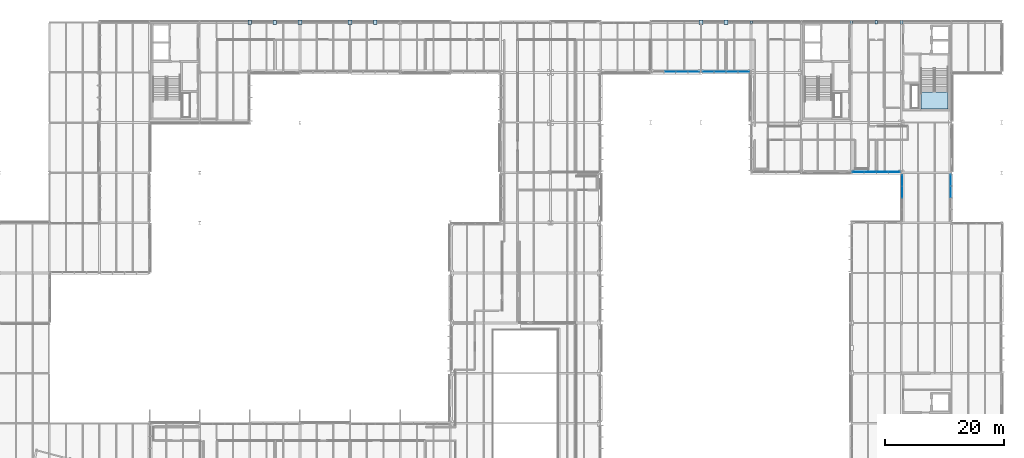
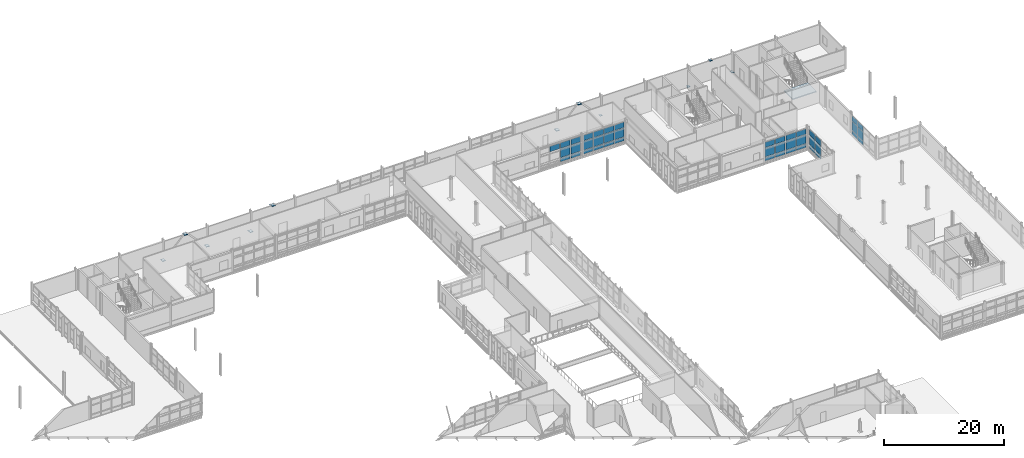
# One storey, part 92 of 129: 54 plates, 1 slab, 6 elements without a shape of their own.
"""IFC4 building model written with IfcOpenShell, lengths in metres."""

from ifc_helpers import new_model, si_unit, direction, frame, origin, origin_2d, place, context, subcontext, project, spatial, polyline, rectangle, outline, extrude, material, layer, layer_set, type_object, element, aggregate, save


model = new_model("IFC4")

# Units and contexts
model_context = context("Model", 3, precision=1e-05, world=origin(), true_north=direction((0.0, 1.0)))
body_context = subcontext(model_context, "Body", "Model", "MODEL_VIEW")
ifc_project = project(units=[si_unit("LENGTHUNIT", "METRE"), si_unit("AREAUNIT", "SQUARE_METRE"), si_unit("VOLUMEUNIT", "CUBIC_METRE"), si_unit("PLANEANGLEUNIT", "RADIAN"), si_unit("MASSUNIT", "GRAM", prefix="KILO")], contexts=[model_context])

# Site, building, storey
site_placement = place(None, origin())
site = spatial("IfcSite", under=ifc_project, at=site_placement, CompositionType="ELEMENT")
building_placement = place(site_placement, origin())
building = spatial("IfcBuilding", under=site, at=building_placement, Name="Mersafa Astral City Hall", CompositionType="ELEMENT")
storey_placement = place(building_placement, frame((0.0, 0.0, 5.39990234375)))
storey = spatial("IfcBuildingStorey", under=building, at=storey_placement, Name="L01", CompositionType="ELEMENT", Elevation=5.39990234375)

# Curtain wall, plates
ifc_material_1 = material(Name="Anodised bronze aluminium framing", Category="aluminium")
curtain_wall_type_1 = type_object("IfcCurtainWallType", Name="ENV-CW-1", PredefinedType="USERDEFINED", material=ifc_material_1)
curtain_wall_1_placement = place(storey_placement, origin())
curtain_wall_1 = element("IfcCurtainWall", 1, at=curtain_wall_1_placement, inside=storey, type_object=curtain_wall_type_1, Name="L01 Unitised solar curtain wall 60", ObjectType="UNITISED CURTAIN WALL", PredefinedType="USERDEFINED")
ifc_material_2 = material(Name="Solar control low-e double glazing", Category="glass")
ifc_layer_1 = layer(ifc_material_2, 0.028076171875, Name="Solar control low-e double glazing")
ifc_layer_set_1 = layer_set([ifc_layer_1], Name="Solar control low-e double glazing — ENV-CW-PNL-GLZ-1")
plate_type_1 = type_object("IfcPlateType", Name="ENV-CW-PNL-GLZ-1", PredefinedType="CURTAIN_PANEL", material=ifc_layer_set_1)
plate_1_placement = place(storey_placement, frame((129.1904296875, 117.719970703125, 2.780029296875), z_axis=(0.0, 0.0, 1.0), x_axis=(1.0, 0.0, 0.0)))
plate_1 = element("IfcPlate", 2, at=plate_1_placement, type_object=plate_type_1, Name="CW-1 panel 2.3", PredefinedType="CURTAIN_PANEL", context=body_context, shape_type="SweptSolid", body=[
    extrude(rectangle(XDim=1.89892578125, YDim=0.028076171875, at=origin_2d()), origin(), (0.0, 0.0, 1.0), 1.126953125),
])
plate_2_placement = place(storey_placement, frame((131.20947265625, 117.719970703125, 0.05810546875), z_axis=(0.0, 0.0, 1.0), x_axis=(1.0, 0.0, 0.0)))
plate_2 = element("IfcPlate", 3, at=plate_2_placement, type_object=plate_type_1, Name="CW-1 panel 3.1", PredefinedType="CURTAIN_PANEL", context=body_context, shape_type="SweptSolid", body=[
    extrude(rectangle(XDim=1.89892578125, YDim=0.028076171875, at=origin_2d()), origin(), (0.0, 0.0, 1.0), 0.761962890625),
])
plate_3_placement = place(storey_placement, frame((131.20947265625, 117.719970703125, 0.8798828125), z_axis=(0.0, 0.0, 1.0), x_axis=(1.0, 0.0, 0.0)))
plate_3 = element("IfcPlate", 4, at=plate_3_placement, type_object=plate_type_1, Name="CW-1 panel 3.2", PredefinedType="CURTAIN_PANEL", context=body_context, shape_type="SweptSolid", body=[
    extrude(rectangle(XDim=1.89892578125, YDim=0.028076171875, at=origin_2d()), origin(), (0.0, 0.0, 1.0), 1.840087890625),
])
plate_4_placement = place(storey_placement, frame((131.20947265625, 117.719970703125, 2.780029296875), z_axis=(0.0, 0.0, 1.0), x_axis=(1.0, 0.0, 0.0)))
plate_4 = element("IfcPlate", 5, at=plate_4_placement, type_object=plate_type_1, Name="CW-1 panel 3.3", PredefinedType="CURTAIN_PANEL", context=body_context, shape_type="SweptSolid", body=[
    extrude(rectangle(XDim=1.89892578125, YDim=0.028076171875, at=origin_2d()), origin(), (0.0, 0.0, 1.0), 1.126953125),
])
plate_5_placement = place(storey_placement, frame((133.198486328125, 117.719970703125, 0.05810546875), z_axis=(0.0, 0.0, 1.0), x_axis=(1.0, 0.0, 0.0)))
plate_5 = element("IfcPlate", 6, at=plate_5_placement, type_object=plate_type_1, Name="CW-1 panel 4.1", PredefinedType="CURTAIN_PANEL", context=body_context, shape_type="SweptSolid", body=[
    extrude(rectangle(XDim=1.839111328125, YDim=0.028076171875, at=origin_2d()), origin(), (0.0, 0.0, 1.0), 0.761962890625),
])
plate_6_placement = place(storey_placement, frame((133.198486328125, 117.719970703125, 0.8798828125), z_axis=(0.0, 0.0, 1.0), x_axis=(1.0, 0.0, 0.0)))
plate_6 = element("IfcPlate", 7, at=plate_6_placement, type_object=plate_type_1, Name="CW-1 panel 4.2", PredefinedType="CURTAIN_PANEL", context=body_context, shape_type="SweptSolid", body=[
    extrude(rectangle(XDim=1.839111328125, YDim=0.028076171875, at=origin_2d()), origin(), (0.0, 0.0, 1.0), 1.840087890625),
])
plate_7_placement = place(storey_placement, frame((133.198486328125, 117.719970703125, 2.780029296875), z_axis=(0.0, 0.0, 1.0), x_axis=(1.0, 0.0, 0.0)))
plate_7 = element("IfcPlate", 8, at=plate_7_placement, type_object=plate_type_1, Name="CW-1 panel 4.3", PredefinedType="CURTAIN_PANEL", context=body_context, shape_type="SweptSolid", body=[
    extrude(rectangle(XDim=1.839111328125, YDim=0.028076171875, at=origin_2d()), origin(), (0.0, 0.0, 1.0), 1.126953125),
])
aggregate(curtain_wall_1, [plate_1, plate_2, plate_3, plate_4, plate_5, plate_6, plate_7])

curtain_wall_type_2 = type_object("IfcCurtainWallType", Name="ENV-CW-5", PredefinedType="USERDEFINED", material=ifc_material_1)
curtain_wall_2_placement = place(storey_placement, origin())
curtain_wall_2 = element("IfcCurtainWall", 9, at=curtain_wall_2_placement, inside=storey, type_object=curtain_wall_type_2, Name="L01 Unitised solar curtain wall 64", ObjectType="UNITISED CURTAIN WALL", PredefinedType="USERDEFINED")
plate_8_placement = place(storey_placement, frame((160.801513671875, 100.919921875, 0.05810546875), z_axis=(0.0, 0.0, 1.0), x_axis=(1.0, 0.0, 0.0)))
plate_8 = element("IfcPlate", 10, at=plate_8_placement, type_object=plate_type_1, Name="CW-5 panel 1.1", PredefinedType="CURTAIN_PANEL", context=body_context, shape_type="SweptSolid", body=[
    extrude(rectangle(XDim=1.839111328125, YDim=0.028076171875, at=origin_2d()), origin(), (0.0, 0.0, 1.0), 0.761962890625),
])
plate_9_placement = place(storey_placement, frame((160.801513671875, 100.919921875, 0.8798828125), z_axis=(0.0, 0.0, 1.0), x_axis=(1.0, 0.0, 0.0)))
plate_9 = element("IfcPlate", 11, at=plate_9_placement, type_object=plate_type_1, Name="CW-5 panel 1.2", PredefinedType="CURTAIN_PANEL", context=body_context, shape_type="SweptSolid", body=[
    extrude(rectangle(XDim=1.839111328125, YDim=0.028076171875, at=origin_2d()), origin(), (0.0, 0.0, 1.0), 1.840087890625),
])
plate_10_placement = place(storey_placement, frame((160.801513671875, 100.919921875, 2.780029296875), z_axis=(0.0, 0.0, 1.0), x_axis=(1.0, 0.0, 0.0)))
plate_10 = element("IfcPlate", 12, at=plate_10_placement, type_object=plate_type_1, Name="CW-5 panel 1.3", PredefinedType="CURTAIN_PANEL", context=body_context, shape_type="SweptSolid", body=[
    extrude(rectangle(XDim=1.839111328125, YDim=0.028076171875, at=origin_2d()), origin(), (0.0, 0.0, 1.0), 1.06689453125),
])
plate_11_placement = place(storey_placement, frame((162.79052734375, 100.919921875, 0.05810546875), z_axis=(0.0, 0.0, 1.0), x_axis=(1.0, 0.0, 0.0)))
plate_11 = element("IfcPlate", 13, at=plate_11_placement, type_object=plate_type_1, Name="CW-5 panel 2.1", PredefinedType="CURTAIN_PANEL", context=body_context, shape_type="SweptSolid", body=[
    extrude(rectangle(XDim=1.89892578125, YDim=0.028076171875, at=origin_2d()), origin(), (0.0, 0.0, 1.0), 0.761962890625),
])
plate_12_placement = place(storey_placement, frame((162.79052734375, 100.919921875, 0.8798828125), z_axis=(0.0, 0.0, 1.0), x_axis=(1.0, 0.0, 0.0)))
plate_12 = element("IfcPlate", 14, at=plate_12_placement, type_object=plate_type_1, Name="CW-5 panel 2.2", PredefinedType="CURTAIN_PANEL", context=body_context, shape_type="SweptSolid", body=[
    extrude(rectangle(XDim=1.89892578125, YDim=0.028076171875, at=origin_2d()), origin(), (0.0, 0.0, 1.0), 1.840087890625),
])
plate_13_placement = place(storey_placement, frame((162.79052734375, 100.919921875, 2.780029296875), z_axis=(0.0, 0.0, 1.0), x_axis=(1.0, 0.0, 0.0)))
plate_13 = element("IfcPlate", 15, at=plate_13_placement, type_object=plate_type_1, Name="CW-5 panel 2.3", PredefinedType="CURTAIN_PANEL", context=body_context, shape_type="SweptSolid", body=[
    extrude(rectangle(XDim=1.89892578125, YDim=0.028076171875, at=origin_2d()), origin(), (0.0, 0.0, 1.0), 1.06689453125),
])
plate_14_placement = place(storey_placement, frame((164.8095703125, 100.919921875, 0.05810546875), z_axis=(0.0, 0.0, 1.0), x_axis=(1.0, 0.0, 0.0)))
plate_14 = element("IfcPlate", 16, at=plate_14_placement, type_object=plate_type_1, Name="CW-5 panel 3.1", PredefinedType="CURTAIN_PANEL", context=body_context, shape_type="SweptSolid", body=[
    extrude(rectangle(XDim=1.89892578125, YDim=0.028076171875, at=origin_2d()), origin(), (0.0, 0.0, 1.0), 0.761962890625),
])
plate_15_placement = place(storey_placement, frame((164.8095703125, 100.919921875, 0.8798828125), z_axis=(0.0, 0.0, 1.0), x_axis=(1.0, 0.0, 0.0)))
plate_15 = element("IfcPlate", 17, at=plate_15_placement, type_object=plate_type_1, Name="CW-5 panel 3.2", PredefinedType="CURTAIN_PANEL", context=body_context, shape_type="SweptSolid", body=[
    extrude(rectangle(XDim=1.89892578125, YDim=0.028076171875, at=origin_2d()), origin(), (0.0, 0.0, 1.0), 1.840087890625),
])
plate_16_placement = place(storey_placement, frame((164.8095703125, 100.919921875, 2.780029296875), z_axis=(0.0, 0.0, 1.0), x_axis=(1.0, 0.0, 0.0)))
plate_16 = element("IfcPlate", 18, at=plate_16_placement, type_object=plate_type_1, Name="CW-5 panel 3.3", PredefinedType="CURTAIN_PANEL", context=body_context, shape_type="SweptSolid", body=[
    extrude(rectangle(XDim=1.89892578125, YDim=0.028076171875, at=origin_2d()), origin(), (0.0, 0.0, 1.0), 1.06689453125),
])
plate_17_placement = place(storey_placement, frame((166.798583984375, 100.919921875, 0.05810546875), z_axis=(0.0, 0.0, 1.0), x_axis=(1.0, 0.0, 0.0)))
plate_17 = element("IfcPlate", 19, at=plate_17_placement, type_object=plate_type_1, Name="CW-5 panel 4.1", PredefinedType="CURTAIN_PANEL", context=body_context, shape_type="SweptSolid", body=[
    extrude(rectangle(XDim=1.839111328125, YDim=0.028076171875, at=origin_2d()), origin(), (0.0, 0.0, 1.0), 0.761962890625),
])
plate_18_placement = place(storey_placement, frame((166.798583984375, 100.919921875, 0.8798828125), z_axis=(0.0, 0.0, 1.0), x_axis=(1.0, 0.0, 0.0)))
plate_18 = element("IfcPlate", 20, at=plate_18_placement, type_object=plate_type_1, Name="CW-5 panel 4.2", PredefinedType="CURTAIN_PANEL", context=body_context, shape_type="SweptSolid", body=[
    extrude(rectangle(XDim=1.839111328125, YDim=0.028076171875, at=origin_2d()), origin(), (0.0, 0.0, 1.0), 1.840087890625),
])
plate_19_placement = place(storey_placement, frame((166.798583984375, 100.919921875, 2.780029296875), z_axis=(0.0, 0.0, 1.0), x_axis=(1.0, 0.0, 0.0)))
plate_19 = element("IfcPlate", 21, at=plate_19_placement, type_object=plate_type_1, Name="CW-5 panel 4.3", PredefinedType="CURTAIN_PANEL", context=body_context, shape_type="SweptSolid", body=[
    extrude(rectangle(XDim=1.839111328125, YDim=0.028076171875, at=origin_2d()), origin(), (0.0, 0.0, 1.0), 1.06689453125),
])
aggregate(curtain_wall_2, [plate_8, plate_9, plate_10, plate_11, plate_12, plate_13, plate_14, plate_15, plate_16, plate_17, plate_18, plate_19])

curtain_wall_type_3 = type_object("IfcCurtainWallType", Name="ENV-CW-2", PredefinedType="USERDEFINED", material=ifc_material_1)
curtain_wall_3_placement = place(storey_placement, origin())
curtain_wall_3 = element("IfcCurtainWall", 22, at=curtain_wall_3_placement, inside=storey, type_object=curtain_wall_type_3, Name="L01 Unitised solar curtain wall 61", ObjectType="UNITISED CURTAIN WALL", PredefinedType="USERDEFINED")
ifc_layer_2 = layer(ifc_material_2, 0.031982421875, Name="Solar control low-e double glazing")
ifc_layer_set_2 = layer_set([ifc_layer_2], Name="Solar control low-e double glazing — ENV-CW-PNL-GLZ-2")
plate_type_2 = type_object("IfcPlateType", Name="ENV-CW-PNL-GLZ-2", PredefinedType="CURTAIN_PANEL", material=ifc_layer_set_2)
plate_20_placement = place(storey_placement, frame((135.6015625, 117.719970703125, 0.05810546875), z_axis=(0.0, 0.0, 1.0), x_axis=(1.0, 0.0, 0.0)))
plate_20 = element("IfcPlate", 23, at=plate_20_placement, type_object=plate_type_2, Name="CW-2 panel 1.1", PredefinedType="CURTAIN_PANEL", context=body_context, shape_type="SweptSolid", body=[
    extrude(rectangle(XDim=1.839111328125, YDim=0.031982421875, at=origin_2d()), origin(), (0.0, 0.0, 1.0), 0.761962890625),
])
plate_21_placement = place(storey_placement, frame((135.6015625, 117.719970703125, 0.8798828125), z_axis=(0.0, 0.0, 1.0), x_axis=(1.0, 0.0, 0.0)))
plate_21 = element("IfcPlate", 24, at=plate_21_placement, type_object=plate_type_2, Name="CW-2 panel 1.2", PredefinedType="CURTAIN_PANEL", context=body_context, shape_type="SweptSolid", body=[
    extrude(rectangle(XDim=1.839111328125, YDim=0.031982421875, at=origin_2d()), origin(), (0.0, 0.0, 1.0), 1.840087890625),
])
plate_22_placement = place(storey_placement, frame((135.6015625, 117.719970703125, 2.7802734375), z_axis=(0.0, 0.0, 1.0), x_axis=(1.0, 0.0, 0.0)))
plate_22 = element("IfcPlate", 25, at=plate_22_placement, type_object=plate_type_2, Name="CW-2 panel 1.3", PredefinedType="CURTAIN_PANEL", context=body_context, shape_type="SweptSolid", body=[
    extrude(rectangle(XDim=1.839111328125, YDim=0.031982421875, at=origin_2d()), origin(), (0.0, 0.0, 1.0), 1.096923828125),
])
plate_23_placement = place(storey_placement, frame((137.590576171875, 117.719970703125, 0.05810546875), z_axis=(0.0, 0.0, 1.0), x_axis=(1.0, 0.0, 0.0)))
plate_23 = element("IfcPlate", 26, at=plate_23_placement, type_object=plate_type_2, Name="CW-2 panel 2.1", PredefinedType="CURTAIN_PANEL", context=body_context, shape_type="SweptSolid", body=[
    extrude(rectangle(XDim=1.89892578125, YDim=0.031982421875, at=origin_2d()), origin(), (0.0, 0.0, 1.0), 0.761962890625),
])
plate_24_placement = place(storey_placement, frame((137.590576171875, 117.719970703125, 0.8798828125), z_axis=(0.0, 0.0, 1.0), x_axis=(1.0, 0.0, 0.0)))
plate_24 = element("IfcPlate", 27, at=plate_24_placement, type_object=plate_type_2, Name="CW-2 panel 2.2", PredefinedType="CURTAIN_PANEL", context=body_context, shape_type="SweptSolid", body=[
    extrude(rectangle(XDim=1.89892578125, YDim=0.031982421875, at=origin_2d()), origin(), (0.0, 0.0, 1.0), 1.840087890625),
])
plate_25_placement = place(storey_placement, frame((137.590576171875, 117.719970703125, 2.7802734375), z_axis=(0.0, 0.0, 1.0), x_axis=(1.0, 0.0, 0.0)))
plate_25 = element("IfcPlate", 28, at=plate_25_placement, type_object=plate_type_2, Name="CW-2 panel 2.3", PredefinedType="CURTAIN_PANEL", context=body_context, shape_type="SweptSolid", body=[
    extrude(rectangle(XDim=1.89892578125, YDim=0.031982421875, at=origin_2d()), origin(), (0.0, 0.0, 1.0), 1.096923828125),
])
plate_26_placement = place(storey_placement, frame((139.609619140625, 117.719970703125, 0.05810546875), z_axis=(0.0, 0.0, 1.0), x_axis=(1.0, 0.0, 0.0)))
plate_26 = element("IfcPlate", 29, at=plate_26_placement, type_object=plate_type_2, Name="CW-2 panel 3.1", PredefinedType="CURTAIN_PANEL", context=body_context, shape_type="SweptSolid", body=[
    extrude(rectangle(XDim=1.89892578125, YDim=0.031982421875, at=origin_2d()), origin(), (0.0, 0.0, 1.0), 0.761962890625),
])
plate_27_placement = place(storey_placement, frame((139.609619140625, 117.719970703125, 0.8798828125), z_axis=(0.0, 0.0, 1.0), x_axis=(1.0, 0.0, 0.0)))
plate_27 = element("IfcPlate", 30, at=plate_27_placement, type_object=plate_type_2, Name="CW-2 panel 3.2", PredefinedType="CURTAIN_PANEL", context=body_context, shape_type="SweptSolid", body=[
    extrude(rectangle(XDim=1.89892578125, YDim=0.031982421875, at=origin_2d()), origin(), (0.0, 0.0, 1.0), 1.840087890625),
])
plate_28_placement = place(storey_placement, frame((139.609619140625, 117.719970703125, 2.7802734375), z_axis=(0.0, 0.0, 1.0), x_axis=(1.0, 0.0, 0.0)))
plate_28 = element("IfcPlate", 31, at=plate_28_placement, type_object=plate_type_2, Name="CW-2 panel 3.3", PredefinedType="CURTAIN_PANEL", context=body_context, shape_type="SweptSolid", body=[
    extrude(rectangle(XDim=1.89892578125, YDim=0.031982421875, at=origin_2d()), origin(), (0.0, 0.0, 1.0), 1.096923828125),
])
plate_29_placement = place(storey_placement, frame((141.598388671875, 117.719970703125, 0.05810546875), z_axis=(0.0, 0.0, 1.0), x_axis=(1.0, 0.0, 0.0)))
plate_29 = element("IfcPlate", 32, at=plate_29_placement, type_object=plate_type_2, Name="CW-2 panel 4.1", PredefinedType="CURTAIN_PANEL", context=body_context, shape_type="SweptSolid", body=[
    extrude(rectangle(XDim=1.839111328125, YDim=0.031982421875, at=origin_2d()), origin(), (0.0, 0.0, 1.0), 0.761962890625),
])
plate_30_placement = place(storey_placement, frame((141.598388671875, 117.719970703125, 0.8798828125), z_axis=(0.0, 0.0, 1.0), x_axis=(1.0, 0.0, 0.0)))
plate_30 = element("IfcPlate", 33, at=plate_30_placement, type_object=plate_type_2, Name="CW-2 panel 4.2", PredefinedType="CURTAIN_PANEL", context=body_context, shape_type="SweptSolid", body=[
    extrude(rectangle(XDim=1.839111328125, YDim=0.031982421875, at=origin_2d()), origin(), (0.0, 0.0, 1.0), 1.840087890625),
])
plate_31_placement = place(storey_placement, frame((141.598388671875, 117.719970703125, 2.7802734375), z_axis=(0.0, 0.0, 1.0), x_axis=(1.0, 0.0, 0.0)))
plate_31 = element("IfcPlate", 34, at=plate_31_placement, type_object=plate_type_2, Name="CW-2 panel 4.3", PredefinedType="CURTAIN_PANEL", context=body_context, shape_type="SweptSolid", body=[
    extrude(rectangle(XDim=1.839111328125, YDim=0.031982421875, at=origin_2d()), origin(), (0.0, 0.0, 1.0), 1.096923828125),
])
aggregate(curtain_wall_3, [plate_20, plate_21, plate_22, plate_23, plate_24, plate_25, plate_26, plate_27, plate_28, plate_29, plate_30, plate_31])

curtain_wall_type_4 = type_object("IfcCurtainWallType", Name="ENV-CW-6", PredefinedType="USERDEFINED", material=ifc_material_1)
curtain_wall_4_placement = place(storey_placement, origin())
curtain_wall_4 = element("IfcCurtainWall", 35, at=curtain_wall_4_placement, inside=storey, type_object=curtain_wall_type_4, Name="L01 Unitised solar curtain wall 65", ObjectType="UNITISED CURTAIN WALL", PredefinedType="USERDEFINED")
plate_32_placement = place(storey_placement, frame((168.1201171875, 99.479736328125, 0.05810546875), z_axis=(0.0, 0.0, 1.0), x_axis=(0.0, -1.0, 0.0)))
plate_32 = element("IfcPlate", 36, at=plate_32_placement, type_object=plate_type_2, Name="CW-6 panel 1.1", PredefinedType="CURTAIN_PANEL", context=body_context, shape_type="SweptSolid", body=[
    extrude(rectangle(XDim=1.776611328125, YDim=0.031982421875, at=origin_2d()), origin(), (0.0, 0.0, 1.0), 0.761962890625),
])
plate_33_placement = place(storey_placement, frame((168.1201171875, 99.479736328125, 0.8798828125), z_axis=(0.0, 0.0, 1.0), x_axis=(0.0, -1.0, 0.0)))
plate_33 = element("IfcPlate", 37, at=plate_33_placement, type_object=plate_type_2, Name="CW-6 panel 1.2", PredefinedType="CURTAIN_PANEL", context=body_context, shape_type="SweptSolid", body=[
    extrude(rectangle(XDim=1.776611328125, YDim=0.031982421875, at=origin_2d()), origin(), (0.0, 0.0, 1.0), 1.840087890625),
])
plate_34_placement = place(storey_placement, frame((168.1201171875, 99.479736328125, 2.780029296875), z_axis=(0.0, 0.0, 1.0), x_axis=(0.0, -1.0, 0.0)))
plate_34 = element("IfcPlate", 38, at=plate_34_placement, type_object=plate_type_2, Name="CW-6 panel 1.3", PredefinedType="CURTAIN_PANEL", context=body_context, shape_type="SweptSolid", body=[
    extrude(rectangle(XDim=1.776611328125, YDim=0.031982421875, at=origin_2d()), origin(), (0.0, 0.0, 1.0), 1.14697265625),
])
plate_35_placement = place(storey_placement, frame((168.1201171875, 97.55322265625, 0.05810546875), z_axis=(0.0, 0.0, 1.0), x_axis=(0.0, -1.0, 0.0)))
plate_35 = element("IfcPlate", 39, at=plate_35_placement, type_object=plate_type_2, Name="CW-6 panel 2.1", PredefinedType="CURTAIN_PANEL", context=body_context, shape_type="SweptSolid", body=[
    extrude(rectangle(XDim=1.83642578125, YDim=0.031982421875, at=origin_2d()), origin(), (0.0, 0.0, 1.0), 0.761962890625),
])
plate_36_placement = place(storey_placement, frame((168.1201171875, 97.55322265625, 0.8798828125), z_axis=(0.0, 0.0, 1.0), x_axis=(0.0, -1.0, 0.0)))
plate_36 = element("IfcPlate", 40, at=plate_36_placement, type_object=plate_type_2, Name="CW-6 panel 2.2", PredefinedType="CURTAIN_PANEL", context=body_context, shape_type="SweptSolid", body=[
    extrude(rectangle(XDim=1.83642578125, YDim=0.031982421875, at=origin_2d()), origin(), (0.0, 0.0, 1.0), 1.840087890625),
])
plate_37_placement = place(storey_placement, frame((168.1201171875, 97.55322265625, 2.780029296875), z_axis=(0.0, 0.0, 1.0), x_axis=(0.0, -1.0, 0.0)))
plate_37 = element("IfcPlate", 41, at=plate_37_placement, type_object=plate_type_2, Name="CW-6 panel 2.3", PredefinedType="CURTAIN_PANEL", context=body_context, shape_type="SweptSolid", body=[
    extrude(rectangle(XDim=1.83642578125, YDim=0.031982421875, at=origin_2d()), origin(), (0.0, 0.0, 1.0), 1.14697265625),
])
aggregate(curtain_wall_4, [plate_32, plate_33, plate_34, plate_35, plate_36, plate_37])

curtain_wall_type_5 = type_object("IfcCurtainWallType", Name="ENV-CW-4", PredefinedType="USERDEFINED", material=ifc_material_1)
curtain_wall_5_placement = place(storey_placement, origin())
curtain_wall_5 = element("IfcCurtainWall", 42, at=curtain_wall_5_placement, inside=storey, type_object=curtain_wall_type_5, Name="L01 Unitised solar curtain wall 75", ObjectType="UNITISED CURTAIN WALL", PredefinedType="USERDEFINED")
ifc_layer_3 = layer(ifc_material_2, 0.0400390625, Name="Solar control low-e double glazing")
ifc_layer_set_3 = layer_set([ifc_layer_3], Name="Solar control low-e double glazing — ENV-CW-PNL-GLZ-4")
plate_type_3 = type_object("IfcPlateType", Name="ENV-CW-PNL-GLZ-4", PredefinedType="CURTAIN_PANEL", material=ifc_layer_set_3)
plate_38_placement = place(storey_placement, frame((176.280029296875, 97.58447265625, 0.05810546875), z_axis=(0.0, 0.0, 1.0), x_axis=(0.0, 1.0, 0.0)))
plate_38 = element("IfcPlate", 43, at=plate_38_placement, type_object=plate_type_3, Name="CW-4 panel 3.1", PredefinedType="CURTAIN_PANEL", context=body_context, shape_type="SweptSolid", body=[
    extrude(rectangle(XDim=1.84912109375, YDim=0.0400390625, at=origin_2d()), origin(), (0.0, 0.0, 1.0), 0.761962890625),
])
plate_39_placement = place(storey_placement, frame((176.280029296875, 97.58447265625, 0.8798828125), z_axis=(0.0, 0.0, 1.0), x_axis=(0.0, 1.0, 0.0)))
plate_39 = element("IfcPlate", 44, at=plate_39_placement, type_object=plate_type_3, Name="CW-4 panel 3.2", PredefinedType="CURTAIN_PANEL", context=body_context, shape_type="SweptSolid", body=[
    extrude(rectangle(XDim=1.84912109375, YDim=0.0400390625, at=origin_2d()), origin(), (0.0, 0.0, 1.0), 1.840087890625),
])
plate_40_placement = place(storey_placement, frame((176.280029296875, 97.58447265625, 2.7802734375), z_axis=(0.0, 0.0, 1.0), x_axis=(0.0, 1.0, 0.0)))
plate_40 = element("IfcPlate", 45, at=plate_40_placement, type_object=plate_type_3, Name="CW-4 panel 3.3", PredefinedType="CURTAIN_PANEL", context=body_context, shape_type="SweptSolid", body=[
    extrude(rectangle(XDim=1.84912109375, YDim=0.0400390625, at=origin_2d()), origin(), (0.0, 0.0, 1.0), 1.096923828125),
])
plate_41_placement = place(storey_placement, frame((176.280029296875, 99.5234375, 0.05810546875), z_axis=(0.0, 0.0, 1.0), x_axis=(0.0, 1.0, 0.0)))
plate_41 = element("IfcPlate", 46, at=plate_41_placement, type_object=plate_type_3, Name="CW-4 panel 4.1", PredefinedType="CURTAIN_PANEL", context=body_context, shape_type="SweptSolid", body=[
    extrude(rectangle(XDim=1.7890625, YDim=0.0400390625, at=origin_2d()), origin(), (0.0, 0.0, 1.0), 0.761962890625),
])
plate_42_placement = place(storey_placement, frame((176.280029296875, 99.5234375, 0.8798828125), z_axis=(0.0, 0.0, 1.0), x_axis=(0.0, 1.0, 0.0)))
plate_42 = element("IfcPlate", 47, at=plate_42_placement, type_object=plate_type_3, Name="CW-4 panel 4.2", PredefinedType="CURTAIN_PANEL", context=body_context, shape_type="SweptSolid", body=[
    extrude(rectangle(XDim=1.7890625, YDim=0.0400390625, at=origin_2d()), origin(), (0.0, 0.0, 1.0), 1.840087890625),
])
plate_43_placement = place(storey_placement, frame((176.280029296875, 99.5234375, 2.7802734375), z_axis=(0.0, 0.0, 1.0), x_axis=(0.0, 1.0, 0.0)))
plate_43 = element("IfcPlate", 48, at=plate_43_placement, type_object=plate_type_3, Name="CW-4 panel 4.3", PredefinedType="CURTAIN_PANEL", context=body_context, shape_type="SweptSolid", body=[
    extrude(rectangle(XDim=1.7890625, YDim=0.0400390625, at=origin_2d()), origin(), (0.0, 0.0, 1.0), 1.096923828125),
])
aggregate(curtain_wall_5, [plate_38, plate_39, plate_40, plate_41, plate_42, plate_43])

# Stair, slab
ifc_material_3 = material(Name="Concrete C40/50", Category="concrete")
stair_type = type_object("IfcStairType", Name="STAIR", PredefinedType="HALF_TURN_STAIR", material=ifc_material_3)
stair_placement = place(storey_placement, origin())
stair = element("IfcStair", 49, at=stair_placement, inside=storey, type_object=stair_type, Name="L01 Protected Exit Stair ST2", PredefinedType="HALF_TURN_STAIR")
ifc_layer_4 = layer(ifc_material_3, 0.199951171875, Name="Concrete C40/50")
ifc_layer_set_4 = layer_set([ifc_layer_4], Name="Concrete C40/50 — STAIR-LANDING")
slab_type = type_object("IfcSlabType", Name="STAIR-LANDING", PredefinedType="LANDING", material=ifc_layer_set_4)
slab_placement = place(storey_placement, frame((0.0, 0.0, 2.050048828125)))
slab = element("IfcSlab", 50, at=slab_placement, type_object=slab_type, Name="ST2 landing 1", PredefinedType="LANDING", context=body_context, shape_type="SweptSolid", body=[
    extrude(outline(polyline([(171.260009765625, 114.360107421875), (171.260009765625, 111.449951171875), (175.820068359375, 111.449951171875), (175.820068359375, 114.360107421875), (171.260009765625, 114.360107421875)])), origin(), (0.0, 0.0, 1.0), 0.199951171875),
])
aggregate(stair, [slab])

# Plates
ifc_material_4 = material(Name="Steel S355", Category="steel")
ifc_layer_5 = layer(ifc_material_4, 0.02392578125, Name="Steel S355")
ifc_layer_set_5 = layer_set([ifc_layer_5], Name="Steel S355 — STR-PLT-NP-11")
plate_type_4 = type_object("IfcPlateType", Name="STR-PLT-NP-11", PredefinedType="SHEET", material=ifc_layer_set_5)
plate_44_placement = place(storey_placement, frame((79.800048828125, 126.0, 3.938232421875), z_axis=(0.0, 0.0, 1.0), x_axis=(1.0, 0.0, 0.0)))
element("IfcPlate", 51, at=plate_44_placement, inside=storey, type_object=plate_type_4, Name="L01 Structural steel brace gusset plate NP-11", PredefinedType="SHEET", context=body_context, shape_type="SweptSolid", body=[
    extrude(rectangle(XDim=0.610107421875, YDim=0.699951171875, at=origin_2d()), origin(), (0.0, 0.0, 1.0), 0.02392578125),
])
ifc_layer_6 = layer(ifc_material_4, 0.02490234375, Name="Steel S355")
ifc_layer_set_6 = layer_set([ifc_layer_6], Name="Steel S355 — STR-PLT-NP-12")
plate_type_5 = type_object("IfcPlateType", Name="STR-PLT-NP-12", PredefinedType="SHEET", material=ifc_layer_set_6)
plate_45_placement = place(storey_placement, frame((75.597900390625, 126.0, 0.107666015625), z_axis=(0.0, 0.0, 1.0), x_axis=(1.0, 0.0, 0.0)))
element("IfcPlate", 52, at=plate_45_placement, inside=storey, type_object=plate_type_5, Name="L01 Structural steel brace gusset plate NP-12", PredefinedType="SHEET", context=body_context, shape_type="SweptSolid", body=[
    extrude(rectangle(XDim=0.635009765625, YDim=0.72998046875, at=origin_2d()), origin(), (0.0, 0.0, 1.0), 0.02490234375),
])
ifc_layer_7 = layer(ifc_material_4, 0.013916015625, Name="Steel S355")
ifc_layer_set_7 = layer_set([ifc_layer_7], Name="Steel S355 — STR-PLT-NP-21")
plate_type_6 = type_object("IfcPlateType", Name="STR-PLT-NP-21", PredefinedType="SHEET", material=ifc_layer_set_7)
plate_46_placement = place(storey_placement, frame((163.800048828125, 126.0, 3.943359375), z_axis=(0.0, 0.0, 1.0), x_axis=(1.0, 0.0, 0.0)))
element("IfcPlate", 53, at=plate_46_placement, inside=storey, type_object=plate_type_6, Name="L01 Structural steel brace gusset plate NP-21", PredefinedType="SHEET", context=body_context, shape_type="SweptSolid", body=[
    extrude(rectangle(XDim=0.43505859375, YDim=0.5400390625, at=origin_2d()), origin(), (0.0, 0.0, 1.0), 0.013916015625),
])
ifc_layer_8 = layer(ifc_material_4, 0.014892578125, Name="Steel S355")
ifc_layer_set_8 = layer_set([ifc_layer_8], Name="Steel S355 — STR-PLT-NP-22")
plate_type_7 = type_object("IfcPlateType", Name="STR-PLT-NP-22", PredefinedType="SHEET", material=ifc_layer_set_8)
plate_47_placement = place(storey_placement, frame((159.597900390625, 126.0, 0.11279296875), z_axis=(0.0, 0.0, 1.0), x_axis=(1.0, 0.0, 0.0)))
element("IfcPlate", 54, at=plate_47_placement, inside=storey, type_object=plate_type_7, Name="L01 Structural steel brace gusset plate NP-22", PredefinedType="SHEET", context=body_context, shape_type="SweptSolid", body=[
    extrude(rectangle(XDim=0.4599609375, YDim=0.570068359375, at=origin_2d()), origin(), (0.0, 0.0, 1.0), 0.014892578125),
])
ifc_layer_9 = layer(ifc_material_4, 0.01611328125, Name="Steel S355")
ifc_layer_set_9 = layer_set([ifc_layer_9], Name="Steel S355 — STR-PLT-NP-23")
plate_type_8 = type_object("IfcPlateType", Name="STR-PLT-NP-23", PredefinedType="SHEET", material=ifc_layer_set_9)
plate_48_placement = place(storey_placement, frame((168.001953125, 126.0, 0.112060546875), z_axis=(0.0, 0.0, 1.0), x_axis=(1.0, 0.0, 0.0)))
element("IfcPlate", 55, at=plate_48_placement, inside=storey, type_object=plate_type_8, Name="L01 Structural steel brace gusset plate NP-23", PredefinedType="SHEET", context=body_context, shape_type="SweptSolid", body=[
    extrude(rectangle(XDim=0.485107421875, YDim=0.60009765625, at=origin_2d()), origin(), (0.0, 0.0, 1.0), 0.01611328125),
])
ifc_layer_10 = layer(ifc_material_4, 0.01904296875, Name="Steel S355")
ifc_layer_set_10 = layer_set([ifc_layer_10], Name="Steel S355 — STR-PLT-NP-26")
plate_type_9 = type_object("IfcPlateType", Name="STR-PLT-NP-26", PredefinedType="SHEET", material=ifc_layer_set_10)
plate_49_placement = place(storey_placement, frame((63.0, 126.0, 3.940673828125), z_axis=(0.0, 0.0, 1.0), x_axis=(1.0, 0.0, 0.0)))
element("IfcPlate", 56, at=plate_49_placement, inside=storey, type_object=plate_type_9, Name="L01 Structural steel brace gusset plate NP-26", PredefinedType="SHEET", context=body_context, shape_type="SweptSolid", body=[
    extrude(rectangle(XDim=0.56005859375, YDim=0.68994140625, at=origin_2d()), origin(), (0.0, 0.0, 1.0), 0.01904296875),
])
ifc_layer_11 = layer(ifc_material_4, 0.02001953125, Name="Steel S355")
ifc_layer_set_11 = layer_set([ifc_layer_11], Name="Steel S355 — STR-PLT-NP-27")
plate_type_10 = type_object("IfcPlateType", Name="STR-PLT-NP-27", PredefinedType="SHEET", material=ifc_layer_set_11)
plate_50_placement = place(storey_placement, frame((58.798095703125, 126.0, 0.110107421875), z_axis=(0.0, 0.0, 1.0), x_axis=(1.0, 0.0, 0.0)))
element("IfcPlate", 57, at=plate_50_placement, inside=storey, type_object=plate_type_10, Name="L01 Structural steel brace gusset plate NP-27", PredefinedType="SHEET", context=body_context, shape_type="SweptSolid", body=[
    extrude(rectangle(XDim=0.5849609375, YDim=0.719970703125, at=origin_2d()), origin(), (0.0, 0.0, 1.0), 0.02001953125),
])
ifc_layer_12 = layer(ifc_material_4, 0.02099609375, Name="Steel S355")
ifc_layer_set_12 = layer_set([ifc_layer_12], Name="Steel S355 — STR-PLT-NP-28")
plate_type_11 = type_object("IfcPlateType", Name="STR-PLT-NP-28", PredefinedType="SHEET", material=ifc_layer_set_12)
for number, where, z_axis, x_axis, name in (
    (58, (67.201904296875, 126.0, 0.109619140625), (0.0, 0.0, 1.0), (1.0, 0.0, 0.0), "L01 Structural steel brace gusset plate NP-28"),
    (59, (138.60009765625, 126.0, 3.969482421875), (0.0, 0.0, 1.0), (1.0, 0.0, 0.0), "L01 Structural steel brace gusset plate NP-28"),
):
    element("IfcPlate", number, at=place(storey_placement, frame(where, z_axis=z_axis, x_axis=x_axis)), inside=storey, type_object=plate_type_11, Name=name, PredefinedType="SHEET", context=body_context, shape_type="SweptSolid", body=[
        extrude(rectangle(XDim=0.610107421875, YDim=0.75, at=origin_2d()), origin(), (0.0, 0.0, 1.0), 0.02099609375),
    ])
ifc_layer_13 = layer(ifc_material_4, 0.02197265625, Name="Steel S355")
ifc_layer_set_13 = layer_set([ifc_layer_13], Name="Steel S355 — STR-PLT-NP-29")
plate_type_12 = type_object("IfcPlateType", Name="STR-PLT-NP-29", PredefinedType="SHEET", material=ifc_layer_set_13)
plate_51_placement = place(storey_placement, frame((134.39794921875, 126.0, 0.109130859375), z_axis=(0.0, 0.0, 1.0), x_axis=(1.0, 0.0, 0.0)))
element("IfcPlate", 60, at=plate_51_placement, inside=storey, type_object=plate_type_12, Name="L01 Structural steel brace gusset plate NP-29", PredefinedType="SHEET", context=body_context, shape_type="SweptSolid", body=[
    extrude(rectangle(XDim=0.635009765625, YDim=0.780029296875, at=origin_2d()), origin(), (0.0, 0.0, 1.0), 0.02197265625),
])
ifc_layer_14 = layer(ifc_material_4, 0.01611328125, Name="Steel S355")
ifc_layer_set_14 = layer_set([ifc_layer_14], Name="Steel S355 — STR-PLT-NP-3")
plate_type_13 = type_object("IfcPlateType", Name="STR-PLT-NP-3", PredefinedType="SHEET", material=ifc_layer_set_14)
plate_52_placement = place(storey_placement, frame((142.802001953125, 126.0, 0.112060546875), z_axis=(0.0, 0.0, 1.0), x_axis=(1.0, 0.0, 0.0)))
element("IfcPlate", 61, at=plate_52_placement, inside=storey, type_object=plate_type_13, Name="L01 Structural steel brace gusset plate NP-3", PredefinedType="SHEET", context=body_context, shape_type="SweptSolid", body=[
    extrude(rectangle(XDim=0.409912109375, YDim=0.4599609375, at=origin_2d()), origin(), (0.0, 0.0, 1.0), 0.01611328125),
])

save(model, "model.ifc")
